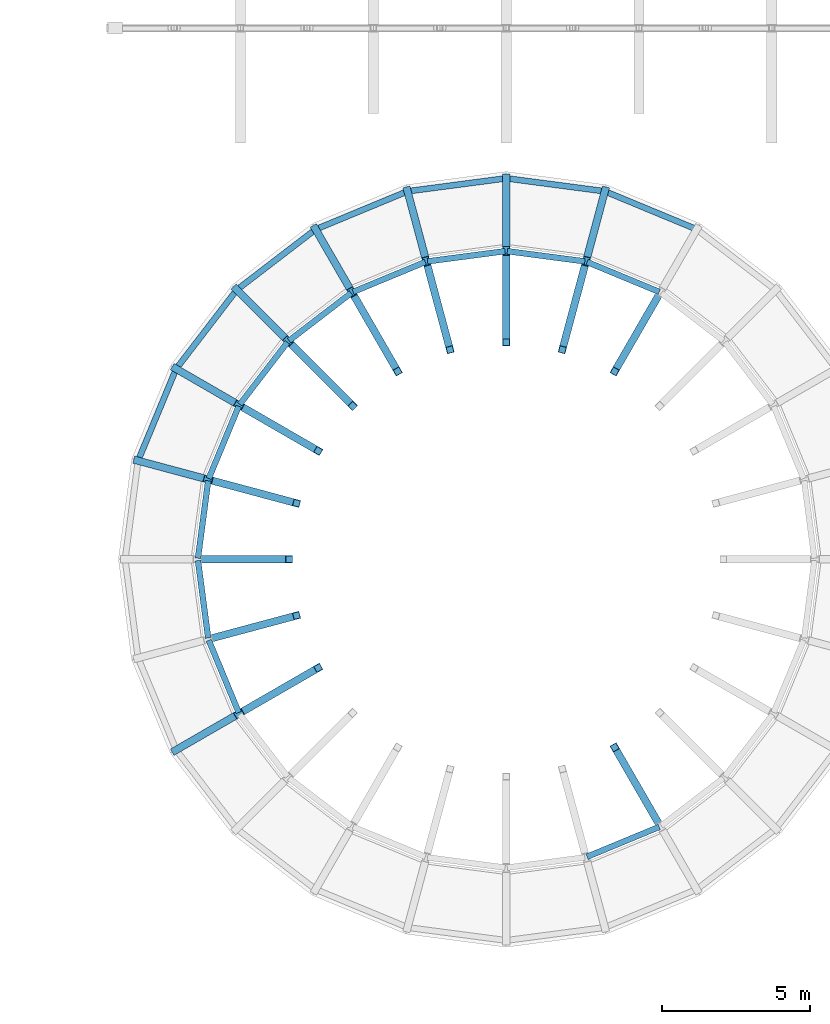
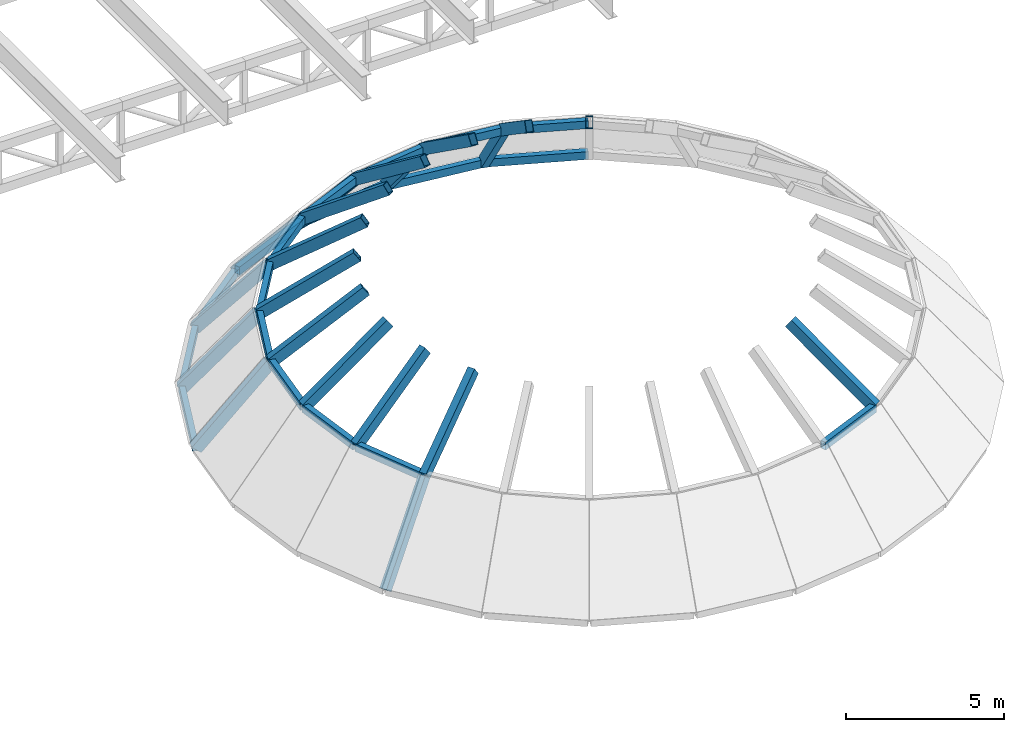
# One storey, part 2 of 20: 38 beams.
"""IFC4 building model written with IfcOpenShell, lengths in metres."""

from ifc_helpers import new_model, si_unit, direction, frame, origin, origin_2d, place, context, subcontext, project, spatial, hollow_rectangle, extrude, material, material_profile, profile_set, type_object, element, save


model = new_model("IFC4")

# Units and contexts
model_context = context("Model", 3, precision=1e-05, world=origin(), true_north=direction((0.0, 1.0)))
body_context = subcontext(model_context, "Body", "Model", "MODEL_VIEW")
ifc_project = project(units=[si_unit("LENGTHUNIT", "METRE"), si_unit("AREAUNIT", "SQUARE_METRE"), si_unit("VOLUMEUNIT", "CUBIC_METRE"), si_unit("PLANEANGLEUNIT", "RADIAN"), si_unit("MASSUNIT", "GRAM", prefix="KILO")], contexts=[model_context])

# Site, building, storey
site_placement = place(None, origin())
site = spatial("IfcSite", under=ifc_project, at=site_placement, CompositionType="ELEMENT")
building_placement = place(site_placement, origin())
building = spatial("IfcBuilding", under=site, at=building_placement, Name="Firuza Court", CompositionType="ELEMENT")
storey_placement = place(building_placement, frame((0.0, 0.0, 29.0)))
storey = spatial("IfcBuildingStorey", under=building, at=storey_placement, Name="L05", CompositionType="ELEMENT", Elevation=29.0)

# Beams
ifc_material_1 = material(Name="Steel S355", Category="steel")
ifc_material_profile_1 = material_profile(ifc_material_1, hollow_rectangle(XDim=0.25, YDim=0.39990234375, WallThickness=0.01611328125, at=origin_2d()), Name="RHS 400X250X16")
ifc_profile_set_1 = profile_set([ifc_material_profile_1], Name="Steel S355")
beam_type_1 = type_object("IfcBeamType", Name="DOME RIB 250X400", PredefinedType="BEAM", material=ifc_profile_set_1)
beam_1_placement = place(storey_placement, frame((126.71875, 22.5390625, 3.3515625), z_axis=(-0.406664575717, -0.704340212589, 0.581832267743), x_axis=(0.866018181901, -0.500012508461, 0.0)))
element("IfcBeam", 1, at=beam_1_placement, inside=storey, type_object=beam_type_1, Name="RIB 5.2", PredefinedType="BEAM", context=body_context, shape_type="SweptSolid", body=[
    extrude(hollow_rectangle(XDim=0.25, YDim=0.39990234375, WallThickness=0.01611328125, at=origin_2d()), origin(), (0.0, 0.0, 1.0), 3.79248046875),
])
beam_2_placement = place(storey_placement, frame((124.841552734375, 25.970458984375, 0.427978515625), z_axis=(-0.167026931991, -0.623254932935, 0.763973358542), x_axis=(0.965915644944, -0.25885703941, 0.0)))
element("IfcBeam", 2, at=beam_2_placement, inside=storey, type_object=beam_type_1, Name="RIB 6.1", PredefinedType="BEAM", context=body_context, shape_type="SweptSolid", body=[
    extrude(hollow_rectangle(XDim=0.25, YDim=0.39990234375, WallThickness=0.01611328125, at=origin_2d()), origin(), (0.0, 0.0, 1.0), 3.8046875),
])
beam_3_placement = place(storey_placement, frame((124.201416015625, 23.581787109375, 3.3515625), z_axis=(-0.210511920504, -0.78558928621, 0.581836922787), x_axis=(0.965921551724, -0.258834997471, 0.0)))
element("IfcBeam", 3, at=beam_3_placement, inside=storey, type_object=beam_type_1, Name="RIB 6.2", PredefinedType="BEAM", context=body_context, shape_type="SweptSolid", body=[
    extrude(hollow_rectangle(XDim=0.25, YDim=0.39990234375, WallThickness=0.01611328125, at=origin_2d()), origin(), (0.0, 0.0, 1.0), 3.79248046875),
])
beam_4_placement = place(storey_placement, frame((121.5, 26.410400390625, 0.427978515625), z_axis=(0.0, -0.645219939947, 0.763996877674), x_axis=(1.0, 0.0, 0.0)))
element("IfcBeam", 4, at=beam_4_placement, inside=storey, type_object=beam_type_1, Name="RIB 7.1", PredefinedType="BEAM", context=body_context, shape_type="SweptSolid", body=[
    extrude(hollow_rectangle(XDim=0.25, YDim=0.39990234375, WallThickness=0.01611328125, at=origin_2d()), origin(), (0.0, 0.0, 1.0), 3.8046875),
])
beam_5_placement = place(storey_placement, frame((121.5, 23.937255859375, 3.3515625), z_axis=(0.0, -0.813293898818, 0.581853103579), x_axis=(1.0, 0.0, 0.0)))
element("IfcBeam", 5, at=beam_5_placement, inside=storey, type_object=beam_type_1, Name="RIB 7.2", PredefinedType="BEAM", context=body_context, shape_type="SweptSolid", body=[
    extrude(hollow_rectangle(XDim=0.25, YDim=0.39990234375, WallThickness=0.01611328125, at=origin_2d()), origin(), (0.0, 0.0, 1.0), 3.792236328125),
])
beam_6_placement = place(storey_placement, frame((118.158447265625, 25.970458984375, 0.427978515625), z_axis=(0.167026931991, -0.623254932935, 0.763973358542), x_axis=(0.965915644944, 0.25885703941, 0.0)))
element("IfcBeam", 6, at=beam_6_placement, inside=storey, type_object=beam_type_1, Name="RIB 8.1", PredefinedType="BEAM", context=body_context, shape_type="SweptSolid", body=[
    extrude(hollow_rectangle(XDim=0.25, YDim=0.39990234375, WallThickness=0.01611328125, at=origin_2d()), origin(), (0.0, 0.0, 1.0), 3.8046875),
])
beam_7_placement = place(storey_placement, frame((118.798583984375, 23.581787109375, 3.3515625), z_axis=(0.210511920504, -0.78558928621, 0.581836922787), x_axis=(0.965921551724, 0.258834997471, 0.0)))
element("IfcBeam", 7, at=beam_7_placement, inside=storey, type_object=beam_type_1, Name="RIB 8.2", PredefinedType="BEAM", context=body_context, shape_type="SweptSolid", body=[
    extrude(hollow_rectangle(XDim=0.25, YDim=0.39990234375, WallThickness=0.01611328125, at=origin_2d()), origin(), (0.0, 0.0, 1.0), 3.79248046875),
])
beam_8_placement = place(storey_placement, frame((115.044677734375, 24.6806640625, 0.427978515625), z_axis=(0.322637389463, -0.558776131154, 0.763985831134), x_axis=(0.866006720078, 0.500032359733, 0.0)))
element("IfcBeam", 8, at=beam_8_placement, inside=storey, type_object=beam_type_1, Name="RIB 9.1", PredefinedType="BEAM", context=body_context, shape_type="SweptSolid", body=[
    extrude(hollow_rectangle(XDim=0.25, YDim=0.39990234375, WallThickness=0.01611328125, at=origin_2d()), origin(), (0.0, 0.0, 1.0), 3.8046875),
])
beam_9_placement = place(storey_placement, frame((116.28125, 22.5390625, 3.3515625), z_axis=(0.406664575717, -0.704340212589, 0.581832267743), x_axis=(0.866018181901, 0.500012508461, 0.0)))
element("IfcBeam", 9, at=beam_9_placement, inside=storey, type_object=beam_type_1, Name="RIB 9.2", PredefinedType="BEAM", context=body_context, shape_type="SweptSolid", body=[
    extrude(hollow_rectangle(XDim=0.25, YDim=0.39990234375, WallThickness=0.01611328125, at=origin_2d()), origin(), (0.0, 0.0, 1.0), 3.79248046875),
])
beam_10_placement = place(storey_placement, frame((112.370849609375, 22.629150390625, 0.427978515625), z_axis=(0.456278393703, -0.456278393703, 0.76395029608), x_axis=(0.707106781187, 0.707106781187, 0.0)))
element("IfcBeam", 10, at=beam_10_placement, inside=storey, type_object=beam_type_1, Name="RIB 10.1", PredefinedType="BEAM", context=body_context, shape_type="SweptSolid", body=[
    extrude(hollow_rectangle(XDim=0.25, YDim=0.39990234375, WallThickness=0.01611328125, at=origin_2d()), origin(), (0.0, 0.0, 1.0), 3.804931640625),
])
beam_11_placement = place(storey_placement, frame((114.11962890625, 20.88037109375, 3.3515625), z_axis=(0.575088247108, -0.575088247108, 0.58184793209), x_axis=(0.707106781187, 0.707106781187, 0.0)))
element("IfcBeam", 11, at=beam_11_placement, inside=storey, type_object=beam_type_1, Name="RIB 10.2", PredefinedType="BEAM", context=body_context, shape_type="SweptSolid", body=[
    extrude(hollow_rectangle(XDim=0.25, YDim=0.39990234375, WallThickness=0.01611328125, at=origin_2d()), origin(), (0.0, 0.0, 1.0), 3.792236328125),
])
beam_12_placement = place(storey_placement, frame((110.3193359375, 19.955322265625, 0.427978515625), z_axis=(0.558776131154, -0.322637389463, 0.763985831134), x_axis=(0.500032359733, 0.866006720078, 0.0)))
element("IfcBeam", 12, at=beam_12_placement, inside=storey, type_object=beam_type_1, Name="RIB 11.1", PredefinedType="BEAM", context=body_context, shape_type="SweptSolid", body=[
    extrude(hollow_rectangle(XDim=0.25, YDim=0.39990234375, WallThickness=0.01611328125, at=origin_2d()), origin(), (0.0, 0.0, 1.0), 3.8046875),
])
beam_13_placement = place(storey_placement, frame((112.4609375, 18.71875, 3.3515625), z_axis=(0.704340212589, -0.406664575717, 0.581832267743), x_axis=(0.500012508461, 0.866018181901, 0.0)))
element("IfcBeam", 13, at=beam_13_placement, inside=storey, type_object=beam_type_1, Name="RIB 11.2", PredefinedType="BEAM", context=body_context, shape_type="SweptSolid", body=[
    extrude(hollow_rectangle(XDim=0.25, YDim=0.39990234375, WallThickness=0.01611328125, at=origin_2d()), origin(), (0.0, 0.0, 1.0), 3.79248046875),
])
beam_14_placement = place(storey_placement, frame((109.029541015625, 16.841552734375, 0.427978515625), z_axis=(0.623254932935, -0.167026931991, 0.763973358542), x_axis=(0.25885703941, 0.965915644944, 0.0)))
element("IfcBeam", 14, at=beam_14_placement, inside=storey, type_object=beam_type_1, Name="RIB 12.1", PredefinedType="BEAM", context=body_context, shape_type="SweptSolid", body=[
    extrude(hollow_rectangle(XDim=0.25, YDim=0.39990234375, WallThickness=0.01611328125, at=origin_2d()), origin(), (0.0, 0.0, 1.0), 3.8046875),
])
beam_15_placement = place(storey_placement, frame((111.418212890625, 16.201416015625, 3.3515625), z_axis=(0.78558928621, -0.210511920504, 0.581836922787), x_axis=(0.258834997471, 0.965921551724, 0.0)))
element("IfcBeam", 15, at=beam_15_placement, inside=storey, type_object=beam_type_1, Name="RIB 12.2", PredefinedType="BEAM", context=body_context, shape_type="SweptSolid", body=[
    extrude(hollow_rectangle(XDim=0.25, YDim=0.39990234375, WallThickness=0.01611328125, at=origin_2d()), origin(), (0.0, 0.0, 1.0), 3.79248046875),
])
beam_16_placement = place(storey_placement, frame((111.062744140625, 13.5, 3.3515625), z_axis=(0.813293898818, 0.0, 0.581853103579), x_axis=(0.0, 1.0, 0.0)))
element("IfcBeam", 16, at=beam_16_placement, inside=storey, type_object=beam_type_1, Name="RIB 13.2", PredefinedType="BEAM", context=body_context, shape_type="SweptSolid", body=[
    extrude(hollow_rectangle(XDim=0.25, YDim=0.39990234375, WallThickness=0.01611328125, at=origin_2d()), origin(), (0.0, 0.0, 1.0), 3.792236328125),
])
beam_17_placement = place(storey_placement, frame((111.418212890625, 10.798583984375, 3.3515625), z_axis=(0.78558928621, 0.210511920504, 0.581836922787), x_axis=(-0.258834997471, 0.965921551724, 0.0)))
element("IfcBeam", 17, at=beam_17_placement, inside=storey, type_object=beam_type_1, Name="RIB 14.2", PredefinedType="BEAM", context=body_context, shape_type="SweptSolid", body=[
    extrude(hollow_rectangle(XDim=0.25, YDim=0.39990234375, WallThickness=0.01611328125, at=origin_2d()), origin(), (0.0, 0.0, 1.0), 3.79248046875),
])
beam_18_placement = place(storey_placement, frame((110.3193359375, 7.044677734375, 0.427978515625), z_axis=(0.558776131154, 0.322637389463, 0.763985831134), x_axis=(-0.500032359733, 0.866006720078, 0.0)))
element("IfcBeam", 18, at=beam_18_placement, inside=storey, type_object=beam_type_1, Name="RIB 15.1", PredefinedType="BEAM", context=body_context, shape_type="SweptSolid", body=[
    extrude(hollow_rectangle(XDim=0.25, YDim=0.39990234375, WallThickness=0.01611328125, at=origin_2d()), origin(), (0.0, 0.0, 1.0), 3.8046875),
])
for number, where, z_axis, x_axis, name in (
    (19, (112.4609375, 8.28125, 3.3515625), (0.704340212589, 0.406664575717, 0.581832267743), (-0.500012508461, 0.866018181901, 0.0), "RIB 15.2"),
    (20, (126.71875, 4.4609375, 3.3515625), (-0.406664575717, 0.704340212589, 0.581832267743), (-0.866018181901, -0.500012508461, 0.0), "RIB 21.2"),
):
    element("IfcBeam", number, at=place(storey_placement, frame(where, z_axis=z_axis, x_axis=x_axis)), inside=storey, type_object=beam_type_1, Name=name, PredefinedType="BEAM", context=body_context, shape_type="SweptSolid", body=[
        extrude(hollow_rectangle(XDim=0.25, YDim=0.39990234375, WallThickness=0.01611328125, at=origin_2d()), origin(), (0.0, 0.0, 1.0), 3.79248046875),
    ])
ifc_material_2 = material(Name="Steel S355", Category="steel")
ifc_material_profile_2 = material_profile(ifc_material_2, hollow_rectangle(XDim=0.199951171875, YDim=0.300048828125, WallThickness=0.010009765625, at=origin_2d()), Name="RHS 300X200X10")
ifc_profile_set_2 = profile_set([ifc_material_profile_2], Name="Steel S355")
beam_type_2 = type_object("IfcBeamType", Name="DOME RING MEMBER 200X300", PredefinedType="BEAM", material=ifc_profile_set_2)
for number, where, z_axis, x_axis, name in (
    (21, (127.918212890625, 24.696044921875, 0.427978515625), (-0.92386308488, 0.382723138046, 0.0), (-0.382723138046, -0.92386308488, 0.0), "Dome ring member 0.5"),
    (22, (124.8017578125, 25.975830078125, 0.427978515625), (-0.991446212068, 0.130515932273, 0.0), (-0.130515932273, -0.991446212068, 0.0), "Dome ring member 0.6"),
    (23, (121.46044921875, 26.4052734375, 0.427978515625), (-0.991446212068, -0.130515932273, 0.0), (0.130515932273, -0.991446212068, 0.0), "Dome ring member 0.7"),
    (24, (118.12158203125, 25.955322265625, 0.427978515625), (-0.92386308488, -0.382723138046, 0.0), (0.382723138046, -0.92386308488, 0.0), "Dome ring member 0.8"),
    (25, (115.012939453125, 24.656494140625, 0.427978515625), (-0.793326827237, -0.608795979936, 0.0), (0.608795979936, -0.793326827237, 0.0), "Dome ring member 0.9"),
    (26, (112.3466796875, 22.597412109375, 0.427978515625), (-0.608795979936, -0.793326827237, 0.0), (0.793326827237, -0.608795979936, 0.0), "Dome ring member 0.10"),
    (27, (110.303955078125, 19.918212890625, 0.427978515625), (-0.382723138046, -0.92386308488, 0.0), (0.92386308488, -0.382723138046, 0.0), "Dome ring member 0.11"),
):
    element("IfcBeam", number, at=place(storey_placement, frame(where, z_axis=z_axis, x_axis=x_axis)), inside=storey, type_object=beam_type_2, Name=name, PredefinedType="BEAM", context=body_context, shape_type="SweptSolid", body=[
        extrude(hollow_rectangle(XDim=0.199951171875, YDim=0.300048828125, WallThickness=0.010009765625, at=origin_2d()), origin(), (0.0, 0.0, 1.0), 3.290283203125),
    ])
for number, where, z_axis, x_axis, name in (
    (28, (126.686767578125, 22.56298828125, 3.34423828125), (-0.923866211796, 0.382715589834, 0.0), (-0.382715589834, -0.923866211796, 0.0), "Dome ring member 1.5"),
    (29, (124.164306640625, 23.5966796875, 3.34423828125), (-0.991449586628, 0.130490295329, 0.0), (-0.130490295329, -0.991449586628, 0.0), "Dome ring member 1.6"),
    (30, (121.46044921875, 23.942138671875, 3.34423828125), (-0.991449586628, -0.130490295329, 0.0), (0.130490295329, -0.991449586628, 0.0), "Dome ring member 1.7"),
    (31, (118.759033203125, 23.576171875, 3.34423828125), (-0.923866211796, -0.382715589834, 0.0), (0.382715589834, -0.923866211796, 0.0), "Dome ring member 1.8"),
    (32, (116.24462890625, 22.5234375, 3.34423828125), (-0.793367328709, -0.608743198513, 0.0), (0.608743198513, -0.793367328709, 0.0), "Dome ring member 1.9"),
    (33, (114.088134765625, 20.855712890625, 3.34423828125), (-0.608743198513, -0.793367328709, 0.0), (0.793367328709, -0.608743198513, 0.0), "Dome ring member 1.10"),
    (34, (112.43701171875, 18.686767578125, 3.34423828125), (-0.382715589834, -0.923866211796, 0.0), (0.923866211796, -0.382715589834, 0.0), "Dome ring member 1.11"),
    (35, (111.4033203125, 16.164306640625, 3.34423828125), (-0.130490295329, -0.991449586628, 0.0), (0.991449586628, -0.130490295329, 0.0), "Dome ring member 1.12"),
    (36, (111.057861328125, 13.46044921875, 3.34423828125), (0.130490295329, -0.991449586628, 0.0), (0.991449586628, 0.130490295329, 0.0), "Dome ring member 1.13"),
    (37, (111.423828125, 10.759033203125, 3.34423828125), (0.382715589834, -0.923866211796, 0.0), (0.923866211796, 0.382715589834, 0.0), "Dome ring member 1.14"),
    (38, (124.240966796875, 3.423828125, 3.34423828125), (0.923866211796, 0.382715589834, 0.0), (-0.382715589834, 0.923866211796, 0.0), "Dome ring member 1.20"),
):
    element("IfcBeam", number, at=place(storey_placement, frame(where, z_axis=z_axis, x_axis=x_axis)), inside=storey, type_object=beam_type_2, Name=name, PredefinedType="BEAM", context=body_context, shape_type="SweptSolid", body=[
        extrude(hollow_rectangle(XDim=0.199951171875, YDim=0.300048828125, WallThickness=0.010009765625, at=origin_2d()), origin(), (0.0, 0.0, 1.0), 2.6474609375),
    ])

save(model, "model.ifc")
